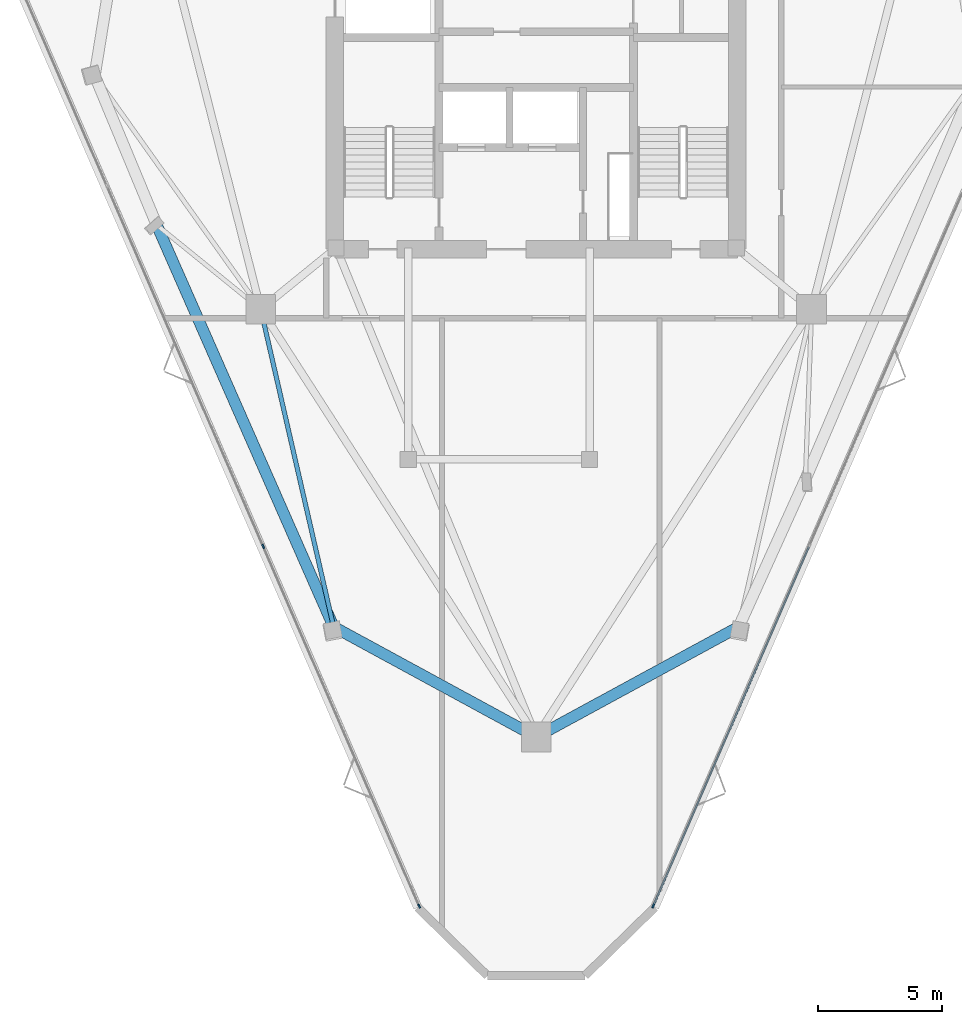
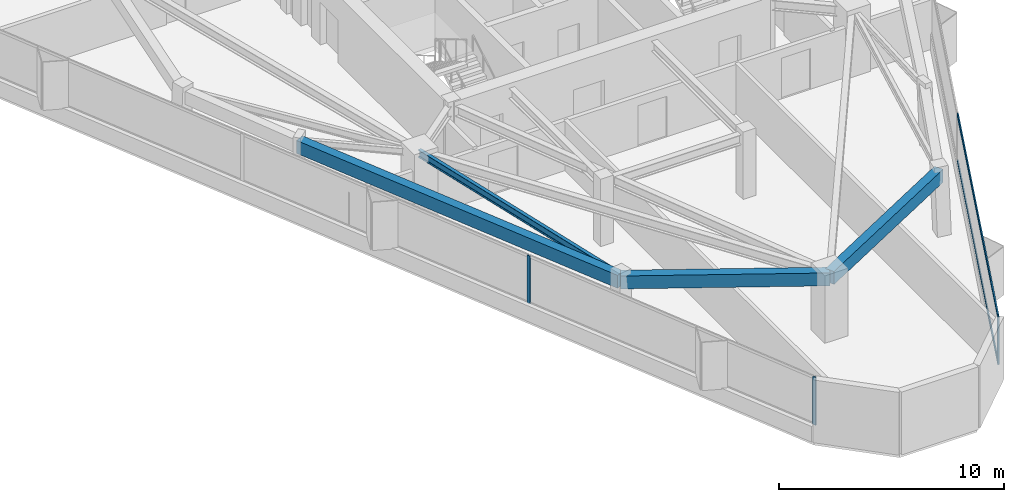
# One storey, part 2 of 11: 5 members, 4 beams, 2 elements without a shape of their own.
"""IFC4 building model written with IfcOpenShell, lengths in metres."""

from ifc_helpers import new_model, si_unit, direction, frame, origin, origin_2d, place, context, subcontext, project, spatial, rectangle, i_section, extrude, material, layer, layer_set, material_profile, profile_set, type_object, element, aggregate, save


model = new_model("IFC4")

# Units and contexts
model_context = context("Model", 3, precision=1e-05, world=origin(), true_north=direction((0.0, 1.0)))
body_context = subcontext(model_context, "Body", "Model", "MODEL_VIEW")
ifc_project = project(units=[si_unit("LENGTHUNIT", "METRE"), si_unit("AREAUNIT", "SQUARE_METRE"), si_unit("VOLUMEUNIT", "CUBIC_METRE"), si_unit("PLANEANGLEUNIT", "RADIAN"), si_unit("MASSUNIT", "GRAM", prefix="KILO")], contexts=[model_context])

# Site, building, storey
site_placement = place(None, origin())
site = spatial("IfcSite", under=ifc_project, at=site_placement, CompositionType="ELEMENT")
building_placement = place(site_placement, origin())
building = spatial("IfcBuilding", under=site, at=building_placement, Name="Talyreon Biosciences Tower", CompositionType="ELEMENT")
storey_placement = place(building_placement, frame((0.0, 0.0, 242.550048828125)))
storey = spatial("IfcBuildingStorey", under=building, at=storey_placement, Name="L64", CompositionType="ELEMENT", Elevation=242.550048828125)

# Curtain wall, members
ifc_material_1 = material(Name="Thermally broken aluminium and low-E glazing", Category="aluminium")
ifc_layer = layer(ifc_material_1, 0.175048828125)
ifc_layer_set = layer_set([ifc_layer], Name="Thermally broken aluminium and low-E glazing")
curtain_wall_type = type_object("IfcCurtainWallType", Name="CurtainWall_Zone5CompLab", PredefinedType="NOTDEFINED", material=ifc_layer_set)
curtain_wall_1_placement = place(storey_placement, origin())
curtain_wall_1 = element("IfcCurtainWall", 1, at=curtain_wall_1_placement, inside=storey, type_object=curtain_wall_type, Name="L64 Unitised Curtain Wall FCW-L64-00", PredefinedType="NOTDEFINED")
ifc_material_2 = material(Name="Anodised thermally broken aluminium", Category="aluminium")
ifc_material_profile_1 = material_profile(ifc_material_2, rectangle(XDim=0.06494140625, YDim=0.179931640625, at=origin_2d()), Name="ALUM MULLION 65x180")
ifc_profile_set_1 = profile_set([ifc_material_profile_1], Name="Anodised thermally broken aluminium")
member_type_1 = type_object("IfcMemberType", Name="CWMullion_65x180", PredefinedType="MULLION", material=ifc_profile_set_1)
member_1_placement = place(storey_placement, frame((61.28955078125, 34.862548828125, 0.81005859375), z_axis=(0.0, 0.0, 1.0), x_axis=(-0.917458244079, -0.397832088162, 0.0)))
member_1 = element("IfcMember", 2, at=member_1_placement, type_object=member_type_1, Name="CW6 mullion 1", PredefinedType="MULLION", context=body_context, shape_type="SweptSolid", body=[
    extrude(rectangle(XDim=0.06494140625, YDim=0.179931640625, at=origin_2d()), origin(), (0.0, 0.0, 1.0), 2.58984375),
])
member_2_placement = place(storey_placement, frame((55.012939453125, 49.337646484375, 0.81005859375), z_axis=(0.0, 0.0, 1.0), x_axis=(-0.917458244079, -0.397832088162, 0.0)))
member_2 = element("IfcMember", 3, at=member_2_placement, type_object=member_type_1, Name="CW6 mullion 2", PredefinedType="MULLION", context=body_context, shape_type="SweptSolid", body=[
    extrude(rectangle(XDim=0.06494140625, YDim=0.179931640625, at=origin_2d()), origin(), (0.0, 0.0, 1.0), 2.58984375),
])
aggregate(curtain_wall_1, [member_1, member_2])

curtain_wall_2_placement = place(storey_placement, origin())
curtain_wall_2 = element("IfcCurtainWall", 4, at=curtain_wall_2_placement, inside=storey, type_object=curtain_wall_type, Name="L64 Unitised Curtain Wall FCW-L64-08", PredefinedType="NOTDEFINED")
member_3_placement = place(storey_placement, frame((70.71044921875, 34.862548828125, 0.81005859375), z_axis=(0.0, 0.0, 1.0), x_axis=(0.917458244079, -0.397832088162, 0.0)))
member_3 = element("IfcMember", 5, at=member_3_placement, type_object=member_type_1, Name="CW6 mullion 4", PredefinedType="MULLION", context=body_context, shape_type="SweptSolid", body=[
    extrude(rectangle(XDim=0.06494140625, YDim=0.179931640625, at=origin_2d()), origin(), (0.0, 0.0, 1.0), 2.58984375),
])
ifc_material_profile_2 = material_profile(ifc_material_2, rectangle(XDim=0.06494140625, YDim=0.139892578125, at=origin_2d()), Name="ALUM TRANSOM 65x140")
ifc_profile_set_2 = profile_set([ifc_material_profile_2], Name="Anodised thermally broken aluminium")
member_type_2 = type_object("IfcMemberType", Name="CWTransom_65x140", PredefinedType="USERDEFINED", material=ifc_profile_set_2)
member_4_placement = place(storey_placement, frame((76.97412109375, 49.307861328125, 0.842529296875), z_axis=(-0.397835044798, -0.917456962004, 0.0), x_axis=(0.917456962004, -0.397835044798, 0.0)))
member_4 = element("IfcMember", 6, at=member_4_placement, type_object=member_type_2, Name="CW6 transom 3.1", ObjectType="TRANSOM", PredefinedType="USERDEFINED", context=body_context, shape_type="SweptSolid", body=[
    extrude(rectangle(XDim=0.06494140625, YDim=0.139892578125, at=origin_2d()), origin(), (0.0, 0.0, 1.0), 15.71240234375),
])
member_5_placement = place(storey_placement, frame((76.97412109375, 49.307861328125, 3.367431640625), z_axis=(-0.397835044798, -0.917456962004, 0.0), x_axis=(0.917456962004, -0.397835044798, 0.0)))
member_5 = element("IfcMember", 7, at=member_5_placement, type_object=member_type_2, Name="CW6 transom 3.2", ObjectType="TRANSOM", PredefinedType="USERDEFINED", context=body_context, shape_type="SweptSolid", body=[
    extrude(rectangle(XDim=0.06494140625, YDim=0.139892578125, at=origin_2d()), origin(), (0.0, 0.0, 1.0), 15.71240234375),
])
aggregate(curtain_wall_2, [member_3, member_4, member_5])

# Beams
ifc_material_3 = material(Name="Precast concrete C45/55", Category="concrete")
ifc_material_profile_3 = material_profile(ifc_material_3, rectangle(XDim=0.449951171875, YDim=0.699951171875, at=origin_2d()), Name="RCB 450x700")
ifc_profile_set_3 = profile_set([ifc_material_profile_3], Name="Precast concrete C45/55")
beam_type_1 = type_object("IfcBeamType", Name="ExpressedSpandrel_450x700", PredefinedType="SPANDREL", material=ifc_profile_set_3)
beam_1_placement = place(storey_placement, frame((66.0, 41.6669921875, 3.050048828125), z_axis=(0.87856020459, 0.477631622603, 0.0), x_axis=(-0.477631622603, 0.87856020459, 0.0)))
element("IfcBeam", 8, at=beam_1_placement, inside=storey, type_object=beam_type_1, Name="L64 Expressed Horizontal Concrete Spandrel 01", PredefinedType="SPANDREL", context=body_context, shape_type="SweptSolid", body=[
    extrude(rectangle(XDim=0.449951171875, YDim=0.699951171875, at=origin_2d()), origin(), (0.0, 0.0, 1.0), 9.281494140625),
])
beam_2_placement = place(storey_placement, frame((50.72705078125, 62.275146484375, 3.050048828125), z_axis=(0.402815928327, -0.915281010338, 0.0), x_axis=(0.915281010338, 0.402815928327, 0.0)))
element("IfcBeam", 9, at=beam_2_placement, inside=storey, type_object=beam_type_1, Name="L64 Expressed Horizontal Concrete Spandrel 11", PredefinedType="SPANDREL", context=body_context, shape_type="SweptSolid", body=[
    extrude(rectangle(XDim=0.449951171875, YDim=0.699951171875, at=origin_2d()), origin(), (0.0, 0.0, 1.0), 17.672119140625),
])
beam_3_placement = place(storey_placement, frame((57.845703125, 46.10009765625, 3.050048828125), z_axis=(0.87856020459, -0.477631622603, 0.0), x_axis=(0.477631622603, 0.87856020459, 0.0)))
element("IfcBeam", 10, at=beam_3_placement, inside=storey, type_object=beam_type_1, Name="L64 Expressed Horizontal Concrete Spandrel 12", PredefinedType="SPANDREL", context=body_context, shape_type="SweptSolid", body=[
    extrude(rectangle(XDim=0.449951171875, YDim=0.699951171875, at=origin_2d()), origin(), (0.0, 0.0, 1.0), 9.281494140625),
])
ifc_material_4 = material(Name="Steel SM355", Category="steel")
ifc_material_profile_4 = material_profile(ifc_material_4, i_section(OverallWidth=0.179931640625, OverallDepth=0.39990234375, WebThickness=0.008544921875, FlangeThickness=0.013427734375, FilletRadius=0.02099609375, at=origin_2d()), Name="IPE400")
ifc_profile_set_4 = profile_set([ifc_material_profile_4], Name="Steel SM355")
beam_type_2 = type_object("IfcBeamType", Name="SteelJoist_IPE400", PredefinedType="JOIST", material=ifc_profile_set_4)
beam_4_placement = place(storey_placement, frame((54.913818359375, 58.88037109375, 3.199951171875), z_axis=(0.223598752454, -0.974681280163, 0.0), x_axis=(0.974681280163, 0.223598752454, 0.0)))
element("IfcBeam", 11, at=beam_4_placement, inside=storey, type_object=beam_type_2, Name="L64 Radial Composite Floor Joist PC-SW2", PredefinedType="JOIST", context=body_context, shape_type="SweptSolid", body=[
    extrude(i_section(OverallWidth=0.179931640625, OverallDepth=0.39990234375, WebThickness=0.008544921875, FlangeThickness=0.013427734375, FilletRadius=0.02099609375, at=origin_2d()), origin(), (0.0, 0.0, 1.0), 13.1123046875),
])

save(model, "model.ifc")
